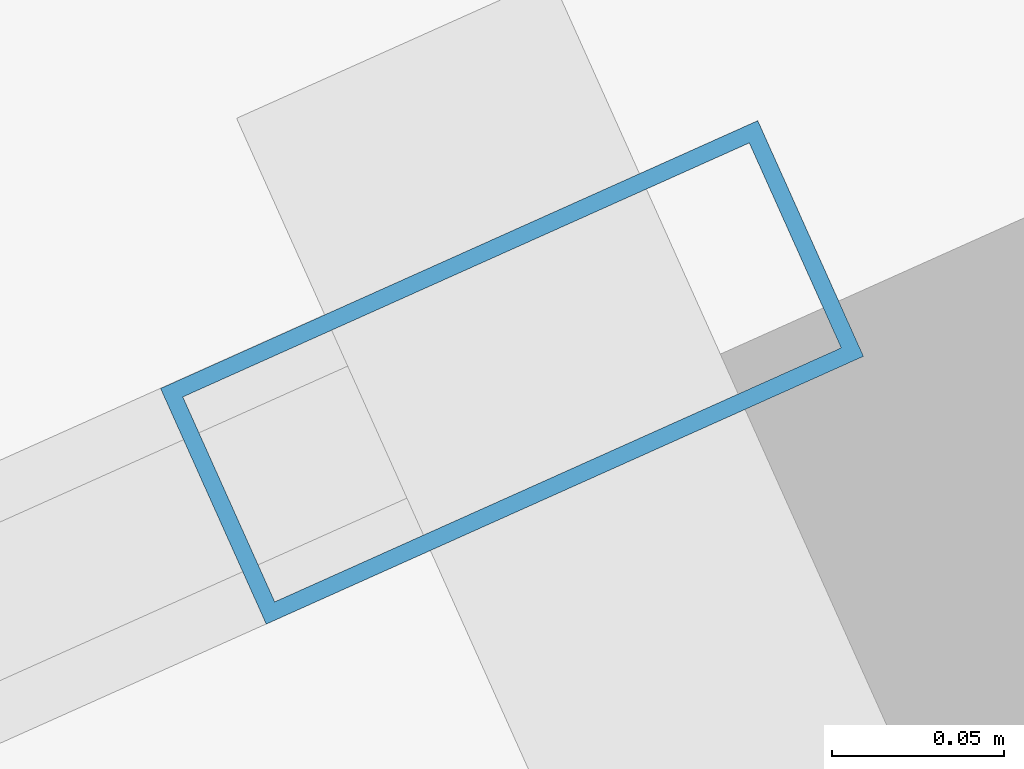
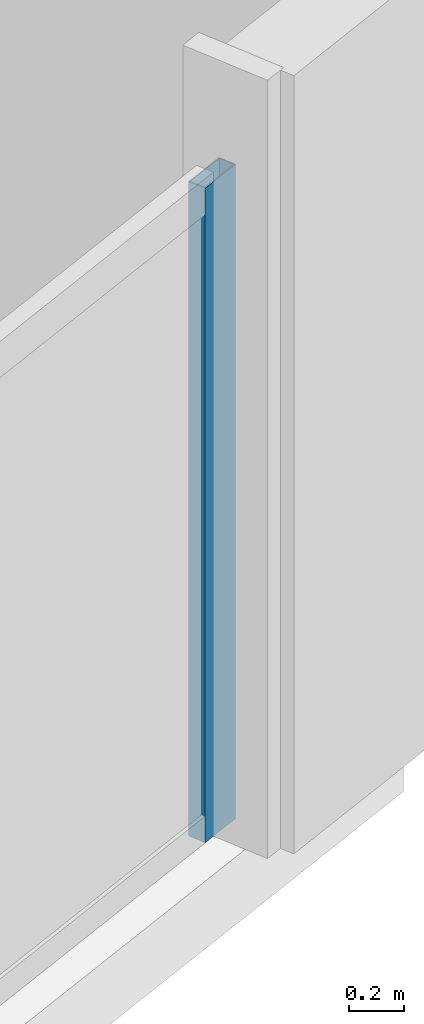
# One storey, part 12 of 38: 1 member, 1 element without a shape of its own.
"""IFC4 building model written with IfcOpenShell, lengths in metres."""

from ifc_helpers import new_model, si_unit, direction, frame, origin, origin_2d, place, context, subcontext, project, spatial, hollow_rectangle, extrude, material, material_profile, profile_set, type_object, element, aggregate, save


model = new_model("IFC4")

# Units and contexts
model_context = context("Model", 3, precision=1e-05, world=origin(), true_north=direction((0.0, 1.0)))
body_context = subcontext(model_context, "Body", "Model", "MODEL_VIEW")
ifc_project = project(units=[si_unit("LENGTHUNIT", "METRE"), si_unit("AREAUNIT", "SQUARE_METRE"), si_unit("VOLUMEUNIT", "CUBIC_METRE"), si_unit("PLANEANGLEUNIT", "RADIAN"), si_unit("MASSUNIT", "GRAM", prefix="KILO")], contexts=[model_context])

# Site, building, storey
site_placement = place(None, origin())
site = spatial("IfcSite", under=ifc_project, at=site_placement, CompositionType="ELEMENT")
building_placement = place(site_placement, origin())
building = spatial("IfcBuilding", under=site, at=building_placement, Name="Haldenkirk Collegiate Tower", CompositionType="ELEMENT")
storey_placement = place(building_placement, frame((0.0, 0.0, 109.199951171875)))
storey = spatial("IfcBuildingStorey", under=building, at=storey_placement, Name="L26", CompositionType="ELEMENT", Elevation=109.199951171875)

# Curtain wall, member
ifc_material = material(Name="Anodised architectural bronze aluminium", Category="aluminium")
curtain_wall_type = type_object("IfcCurtainWallType", Name="CW-SYS2-CONCAVE", PredefinedType="USERDEFINED", material=ifc_material)
curtain_wall_placement = place(storey_placement, origin())
curtain_wall = element("IfcCurtainWall", 1, at=curtain_wall_placement, inside=storey, type_object=curtain_wall_type, Name="L26 South concave recessed bronze-anodised curtain wall", ObjectType="UNITISED CURTAIN WALL", PredefinedType="USERDEFINED")
ifc_material_profile = material_profile(ifc_material, hollow_rectangle(XDim=0.074951171875, YDim=0.18994140625, WallThickness=0.0048828125, at=origin_2d()), Name="CW-MUL-02")
ifc_profile_set = profile_set([ifc_material_profile], Name="Anodised architectural bronze aluminium")
member_type = type_object("IfcMemberType", Name="CW-MUL-02", PredefinedType="MULLION", material=ifc_profile_set)
member_placement = place(storey_placement, frame((65.169189453125, 12.42578125, 0.0), z_axis=(0.0, 0.0, 1.0), x_axis=(0.409127344707, -0.912477296053, 0.0)))
member = element("IfcMember", 2, at=member_placement, type_object=member_type, Name="CW-02 mullion 1", PredefinedType="MULLION", context=body_context, shape_type="SweptSolid", body=[
    extrude(hollow_rectangle(XDim=0.074951171875, YDim=0.18994140625, WallThickness=0.0048828125, at=origin_2d()), origin(), (0.0, 0.0, 1.0), 2.901123046875),
])
aggregate(curtain_wall, [member])

save(model, "model.ifc")
